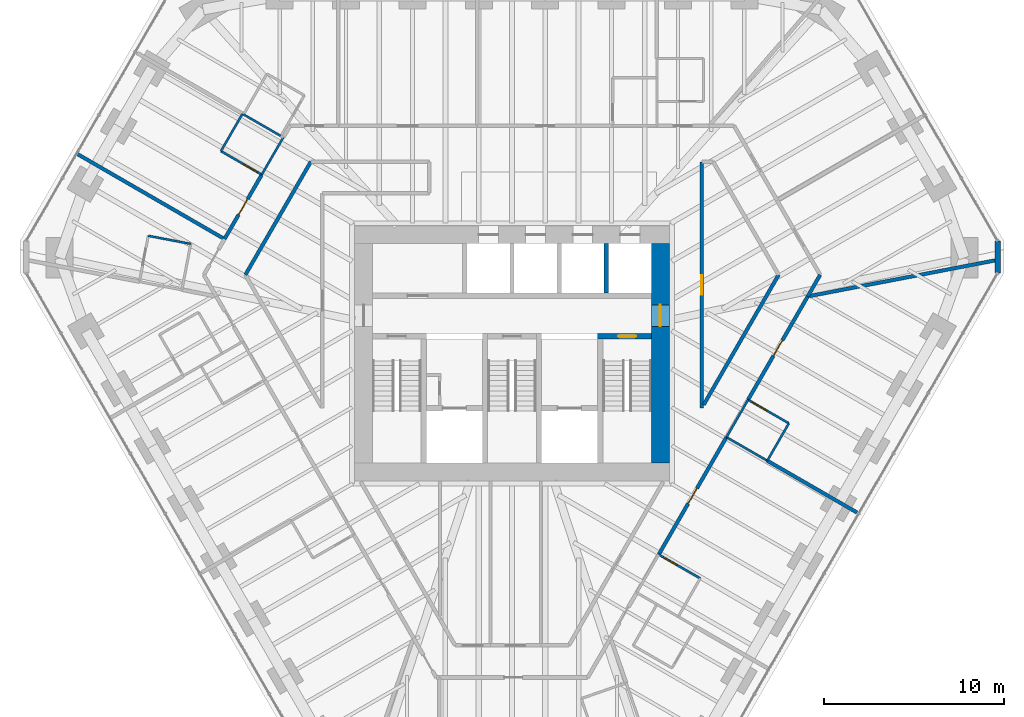
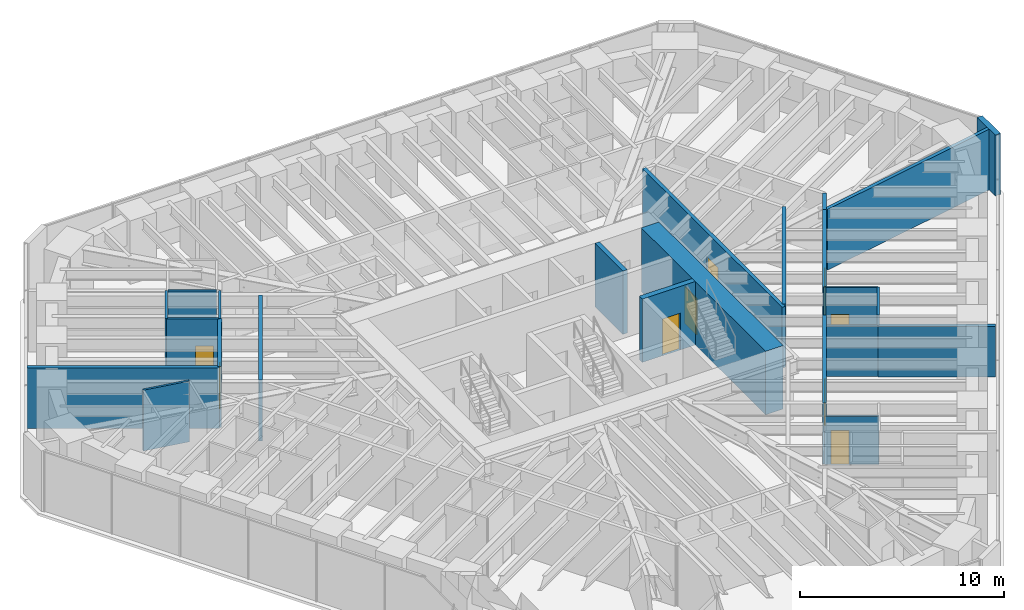
# One storey, part 13 of 16: 24 walls, 9 doors, 9 openings.
"""IFC4 building model written with IfcOpenShell, lengths in metres."""

from ifc_helpers import new_model, si_unit, direction, frame, frame_2d, origin, place, context, subcontext, project, spatial, rectangle, extrude, material, layer, layer_set, type_object, element, fill, save


model = new_model("IFC4")

# Units and contexts
model_context = context("Model", 3, precision=1e-05, world=origin(), true_north=direction((0.0, 1.0)))
body_context = subcontext(model_context, "Body", "Model", "MODEL_VIEW")
ifc_project = project(units=[si_unit("LENGTHUNIT", "METRE"), si_unit("AREAUNIT", "SQUARE_METRE"), si_unit("VOLUMEUNIT", "CUBIC_METRE"), si_unit("PLANEANGLEUNIT", "RADIAN"), si_unit("MASSUNIT", "GRAM", prefix="KILO")], contexts=[model_context])

# Site, building, storey
site_placement = place(None, origin())
site = spatial("IfcSite", under=ifc_project, at=site_placement, CompositionType="ELEMENT")
building_placement = place(site_placement, origin())
building = spatial("IfcBuilding", under=site, at=building_placement, Name="Sandreach Pilgrim Tower", CompositionType="ELEMENT")
storey_placement = place(building_placement, frame((0.0, 0.0, 225.0)))
storey = spatial("IfcBuildingStorey", under=building, at=storey_placement, Name="L56", CompositionType="ELEMENT", Elevation=225.0)

# Wall
ifc_material_1 = material(Name="Moisture-resistant gypsum board on steel studs", Category="steel")
ifc_layer_1 = layer(ifc_material_1, 0.1201171875)
ifc_layer_set_1 = layer_set([ifc_layer_1], Name="Bathroom partition 120")
wall_type_1 = type_object("IfcWallType", Name="Bathroom partition 120", PredefinedType="PARTITIONING", material=ifc_layer_set_1)
wall_1_placement = place(storey_placement, frame((-17.8701171875, 6.090087890625, 0.0), z_axis=(0.0, 0.0, 1.0), x_axis=(-0.982303859288, 0.187294228499, 0.0)))
element("IfcWall", 1, at=wall_1_placement, inside=storey, type_object=wall_type_1, Name="Bathroom partition L56-011", PredefinedType="PARTITIONING", context=body_context, shape_type="SweptSolid", body=[
    extrude(rectangle(XDim=2.40234375, YDim=0.1201171875, at=frame_2d((1.201171875, 0.0))), origin(), (0.0, 0.0, 1.0), 3.639892578125),
])

# Wall, opening, door
wall_2_placement = place(storey_placement, frame((-16.18994140625, 11.25, 0.0), z_axis=(0.0, 0.0, 1.0), x_axis=(0.866114241029, -0.499846097802, 0.0)))
wall_2 = element("IfcWall", 2, at=wall_2_placement, inside=storey, type_object=wall_type_1, Name="Bathroom partition L56-019", PredefinedType="PARTITIONING", context=body_context, shape_type="SweptSolid", body=[
    extrude(rectangle(XDim=2.620849609375, YDim=0.1201171875, at=frame_2d((1.310546875, 0.0))), origin(), (0.0, 0.0, 1.0), 3.639892578125),
])
opening_1_placement = place(wall_2_placement, frame((1.4208984375, 0.0, 0.0)))
opening_1 = element("IfcOpeningElement", 3, at=opening_1_placement, cuts=wall_2, Name="Opening D09-15B", PredefinedType="OPENING", context=body_context, shape_type="SweptSolid", body=[
    extrude(rectangle(XDim=0.89990234375, YDim=2.030029296875, at=frame_2d((0.449951171875, 1.01513671875))), frame((0.0, 0.06005859375, 0.0), z_axis=(0.0, -1.0, 0.0), x_axis=(1.0, 0.0, 0.0)), (0.0, 0.0, 1.0), 0.1201171875),
])
ifc_material_2 = material(Name="Timber door, steel frame", Category="steel")
door_type_1 = type_object("IfcDoorType", Name="Bathroom door", OperationType="SINGLE_SWING_LEFT", PredefinedType="DOOR", material=ifc_material_2)
door_1_placement = place(opening_1_placement, origin())
door_1 = element("IfcDoor", 4, at=door_1_placement, inside=storey, type_object=door_type_1, Name="Door 5615B", OperationType="SINGLE_SWING_RIGHT", OverallHeight=2.030029296875, OverallWidth=0.89990234375, PredefinedType="DOOR", context=body_context, shape_type="SweptSolid", body=[
    extrude(rectangle(XDim=0.89990234375, YDim=2.030029296875, at=frame_2d((0.449951171875, 1.01513671875))), frame((0.0, 0.02490234375, 0.0), z_axis=(0.0, -1.0, 0.0), x_axis=(1.0, 0.0, 0.0)), (0.0, 0.0, 1.0), 0.050048828125),
])
fill(opening_1, door_1)

# Walls
wall_3_placement = place(storey_placement, frame((-14.989990234375, 13.330078125, 0.0), z_axis=(0.0, 0.0, 1.0), x_axis=(-0.499693115345, -0.866202511239, 0.0)))
element("IfcWall", 5, at=wall_3_placement, inside=storey, type_object=wall_type_1, Name="Bathroom partition L56-025", PredefinedType="PARTITIONING", context=body_context, shape_type="SweptSolid", body=[
    extrude(rectangle(XDim=2.4013671875, YDim=0.1201171875, at=frame_2d((1.20068359375, 0.0))), origin(), (0.0, 0.0, 1.0), 3.639892578125),
])
wall_4_placement = place(storey_placement, frame((-14.929931640625, 13.2900390625, 0.0), z_axis=(0.0, 0.0, 1.0), x_axis=(0.866177122335, -0.499737123639, 0.0)))
element("IfcWall", 6, at=wall_4_placement, inside=storey, type_object=wall_type_1, Name="Bathroom partition L56-026", PredefinedType="PARTITIONING", context=body_context, shape_type="SweptSolid", body=[
    extrude(rectangle(XDim=2.401123046875, YDim=0.1201171875, at=frame_2d((1.20068359375, 0.0))), origin(), (0.0, 0.0, 1.0), 3.639892578125),
])
wall_5_placement = place(storey_placement, frame((-13.919921875, 9.93994140625, 0.0), z_axis=(0.0, 0.0, 1.0), x_axis=(0.500402934999, 0.865792644139, 0.0)))
element("IfcWall", 7, at=wall_5_placement, inside=storey, type_object=wall_type_1, Name="Bathroom partition L56-028", PredefinedType="PARTITIONING", context=body_context, shape_type="SweptSolid", body=[
    extrude(rectangle(XDim=2.4013671875, YDim=0.1201171875, at=frame_2d((1.20068359375, 0.0))), origin(), (0.0, 0.0, 1.0), 3.639892578125),
])

# Wall, opening, door
wall_6_placement = place(storey_placement, frame((10.469970703125, -12.510009765625, 0.0), z_axis=(0.0, 0.0, 1.0), x_axis=(-0.86821490448, 0.49618835097, 0.0)))
wall_6 = element("IfcWall", 8, at=wall_6_placement, inside=storey, type_object=wall_type_1, Name="Bathroom partition L56-095", PredefinedType="PARTITIONING", context=body_context, shape_type="SweptSolid", body=[
    extrude(rectangle(XDim=2.660400390625, YDim=0.1201171875, at=frame_2d((1.330078125, 0.0))), origin(), (0.0, 0.0, 1.0), 2.8779296875),
])
opening_2_placement = place(wall_6_placement, frame((1.46044921875, 0.0, 0.0)))
opening_2 = element("IfcOpeningElement", 9, at=opening_2_placement, cuts=wall_6, Name="Opening D09-07B", PredefinedType="OPENING", context=body_context, shape_type="SweptSolid", body=[
    extrude(rectangle(XDim=0.89990234375, YDim=2.030029296875, at=frame_2d((0.449951171875, 1.01513671875))), frame((0.0, 0.06005859375, 0.0), z_axis=(0.0, -1.0, 0.0), x_axis=(1.0, 0.0, 0.0)), (0.0, 0.0, 1.0), 0.1201171875),
])
door_2_placement = place(opening_2_placement, origin())
door_2 = element("IfcDoor", 10, at=door_2_placement, inside=storey, type_object=door_type_1, Name="Door 5607B", OperationType="SINGLE_SWING_RIGHT", OverallHeight=2.030029296875, OverallWidth=0.89990234375, PredefinedType="DOOR", context=body_context, shape_type="SweptSolid", body=[
    extrude(rectangle(XDim=0.89990234375, YDim=2.030029296875, at=frame_2d((0.449951171875, 1.01513671875))), frame((0.0, 0.02490234375, 0.0), z_axis=(0.0, -1.0, 0.0), x_axis=(1.0, 0.0, 0.0)), (0.0, 0.0, 1.0), 0.050048828125),
])
fill(opening_2, door_2)

# Walls
wall_7_placement = place(storey_placement, frame((11.929931640625, -4.659912109375, 0.0), z_axis=(0.0, 0.0, 1.0), x_axis=(0.499737123639, 0.866177122335, 0.0)))
element("IfcWall", 11, at=wall_7_placement, inside=storey, type_object=wall_type_1, Name="Bathroom partition L56-102", PredefinedType="PARTITIONING", context=body_context, shape_type="SweptSolid", body=[
    extrude(rectangle(XDim=2.401123046875, YDim=0.1201171875, at=frame_2d((1.20068359375, 0.0))), origin(), (0.0, 0.0, 1.0), 3.639892578125),
])
wall_8_placement = place(storey_placement, frame((11.929931640625, -4.659912109375, 0.0), z_axis=(0.0, 0.0, 1.0), x_axis=(0.865969958829, -0.500096021185, 0.0)))
element("IfcWall", 12, at=wall_8_placement, inside=storey, type_object=wall_type_1, Name="Bathroom partition L56-103", PredefinedType="PARTITIONING", context=body_context, shape_type="SweptSolid", body=[
    extrude(rectangle(XDim=2.62109375, YDim=0.1201171875, at=frame_2d((1.310546875, 0.0))), origin(), (0.0, 0.0, 1.0), 3.0380859375),
])
wall_9_placement = place(storey_placement, frame((14.199951171875, -5.969970703125, 0.0), z_axis=(0.0, 0.0, 1.0), x_axis=(0.499737123639, 0.866177122335, 0.0)))
element("IfcWall", 13, at=wall_9_placement, inside=storey, type_object=wall_type_1, Name="Bathroom partition L56-108", PredefinedType="PARTITIONING", context=body_context, shape_type="SweptSolid", body=[
    extrude(rectangle(XDim=2.401123046875, YDim=0.1201171875, at=frame_2d((1.20068359375, 0.0))), origin(), (0.0, 0.0, 1.0), 3.639892578125),
])

# Wall, opening, door
wall_10_placement = place(storey_placement, frame((15.39990234375, -3.889892578125, 0.0), z_axis=(0.0, 0.0, 1.0), x_axis=(-0.866154567199, 0.49977621564, 0.0)))
wall_10 = element("IfcWall", 14, at=wall_10_placement, inside=storey, type_object=wall_type_1, Name="Bathroom partition L56-110", PredefinedType="PARTITIONING", context=body_context, shape_type="SweptSolid", body=[
    extrude(rectangle(XDim=2.620849609375, YDim=0.1201171875, at=frame_2d((1.310546875, 0.0))), origin(), (0.0, 0.0, 1.0), 3.639892578125),
])
opening_3_placement = place(wall_10_placement, frame((1.4208984375, 0.0, 0.0)))
opening_3 = element("IfcOpeningElement", 15, at=opening_3_placement, cuts=wall_10, Name="Opening D09-06B", PredefinedType="OPENING", context=body_context, shape_type="SweptSolid", body=[
    extrude(rectangle(XDim=0.89990234375, YDim=2.030029296875, at=frame_2d((0.449951171875, 1.01513671875))), frame((0.0, 0.06005859375, 0.0), z_axis=(0.0, -1.0, 0.0), x_axis=(1.0, 0.0, 0.0)), (0.0, 0.0, 1.0), 0.1201171875),
])
door_3_placement = place(opening_3_placement, origin())
door_3 = element("IfcDoor", 16, at=door_3_placement, inside=storey, type_object=door_type_1, Name="Door 5606B", OperationType="SINGLE_SWING_RIGHT", OverallHeight=2.030029296875, OverallWidth=0.89990234375, PredefinedType="DOOR", context=body_context, shape_type="SweptSolid", body=[
    extrude(rectangle(XDim=0.89990234375, YDim=2.030029296875, at=frame_2d((0.449951171875, 1.01513671875))), frame((0.0, 0.02490234375, 0.0), z_axis=(0.0, -1.0, 0.0), x_axis=(1.0, 0.0, 0.0)), (0.0, 0.0, 1.0), 0.050048828125),
])
fill(opening_3, door_3)

ifc_material_3 = material(Name="Concrete 10000 psi", Category="concrete")
ifc_layer_2 = layer(ifc_material_3, 0.300048828125)
ifc_layer_set_2 = layer_set([ifc_layer_2], Name="Core inner wall 300")
wall_type_2 = type_object("IfcWallType", Name="Core inner wall 300", PredefinedType="SHEAR", material=ifc_layer_set_2)
wall_11_placement = place(storey_placement, frame((4.75, 0.949951171875, 0.0), z_axis=(0.0, 0.0, 1.0), x_axis=(1.0, 0.0, 0.0)))
wall_11 = element("IfcWall", 17, at=wall_11_placement, inside=storey, type_object=wall_type_2, Name="Core wall SN2 L56", PredefinedType="SHEAR", context=body_context, shape_type="SweptSolid", body=[
    extrude(rectangle(XDim=3.0, YDim=0.300048828125, at=frame_2d((1.5, 0.0))), origin(), (0.0, 0.0, 1.0), 3.800048828125),
])
opening_4_placement = place(wall_11_placement, frame((1.14990234375, 0.0, 0.0)))
opening_4 = element("IfcOpeningElement", 18, at=opening_4_placement, cuts=wall_11, Name="Opening D10S-ST2", PredefinedType="OPENING", context=body_context, shape_type="SweptSolid", body=[
    extrude(rectangle(XDim=1.0, YDim=2.199951171875, at=frame_2d((0.5, 1.10009765625))), frame((0.0, 0.14990234375, 0.0), z_axis=(0.0, -1.0, 0.0), x_axis=(1.0, 0.0, 0.0)), (0.0, 0.0, 1.0), 0.300048828125),
])
ifc_material_4 = material(Name="Steel door and frame", Category="steel")
door_type_2 = type_object("IfcDoorType", Name="Stair door", OperationType="SINGLE_SWING_LEFT", PredefinedType="DOOR", material=ifc_material_4)
door_4_placement = place(opening_4_placement, origin())
door_4 = element("IfcDoor", 19, at=door_4_placement, inside=storey, type_object=door_type_2, Name="Stair door ST2 L56", OperationType="SINGLE_SWING_RIGHT", OverallHeight=2.199951171875, OverallWidth=1.0, PredefinedType="DOOR", context=body_context, shape_type="SweptSolid", body=[
    extrude(rectangle(XDim=1.0, YDim=2.199951171875, at=frame_2d((0.5, 1.10009765625))), frame((0.0, 0.02490234375, 0.0), z_axis=(0.0, -1.0, 0.0), x_axis=(1.0, 0.0, 0.0)), (0.0, 0.0, 1.0), 0.050048828125),
])
fill(opening_4, door_4)

ifc_material_5 = material(Name="Concrete 10000 psi", Category="concrete")
ifc_layer_3 = layer(ifc_material_5, 1.0)
ifc_layer_set_3 = layer_set([ifc_layer_3], Name="Core wall 1000")
wall_type_3 = type_object("IfcWallType", Name="Core wall 1000", PredefinedType="SHEAR", material=ifc_layer_set_3)
wall_12_placement = place(storey_placement, frame((8.25, -6.10009765625, 0.0), z_axis=(0.0, 0.0, 1.0), x_axis=(0.0, 1.0, 0.0)))
wall_12 = element("IfcWall", 20, at=wall_12_placement, inside=storey, type_object=wall_type_3, Name="Core wall E L56", PredefinedType="SHEAR", context=body_context, shape_type="SweptSolid", body=[
    extrude(rectangle(XDim=12.2001953125, YDim=1.0, at=frame_2d((6.10009765625, 0.0))), origin(), (0.0, 0.0, 1.0), 3.800048828125),
])
opening_5_placement = place(wall_12_placement, frame((7.60009765625, 0.0, 0.0)))
opening_5 = element("IfcOpeningElement", 21, at=opening_5_placement, cuts=wall_12, Name="Opening D12F-E", PredefinedType="OPENING", context=body_context, shape_type="SweptSolid", body=[
    extrude(rectangle(XDim=1.199951171875, YDim=2.199951171875, at=frame_2d((0.60009765625, 1.10009765625))), frame((0.0, 0.5, 0.0), z_axis=(0.0, -1.0, 0.0), x_axis=(1.0, 0.0, 0.0)), (0.0, 0.0, 1.0), 1.0),
])
ifc_material_6 = material(Name="Steel door and frame", Category="steel")
door_type_3 = type_object("IfcDoorType", Name="Fire lobby door", OperationType="SINGLE_SWING_LEFT", PredefinedType="DOOR", material=ifc_material_6)
door_5_placement = place(opening_5_placement, origin())
door_5 = element("IfcDoor", 22, at=door_5_placement, inside=storey, type_object=door_type_3, Name="Fire service lobby door E L56", OperationType="SINGLE_SWING_RIGHT", OverallHeight=2.199951171875, OverallWidth=1.199951171875, PredefinedType="DOOR", context=body_context, shape_type="SweptSolid", body=[
    extrude(rectangle(XDim=1.199951171875, YDim=2.199951171875, at=frame_2d((0.60009765625, 1.10009765625))), frame((0.0, 0.02490234375, 0.0), z_axis=(0.0, -1.0, 0.0), x_axis=(1.0, 0.0, 0.0)), (0.0, 0.0, 1.0), 0.050048828125),
])
fill(opening_5, door_5)

ifc_material_7 = material(Name="Gypsum board on steel studs, two layers each side", Category="steel")
ifc_layer_4 = layer(ifc_material_7, 0.199951171875)
ifc_layer_set_4 = layer_set([ifc_layer_4], Name="Corridor wall 200")
wall_type_4 = type_object("IfcWallType", Name="Corridor wall 200", PredefinedType="PARTITIONING", material=ifc_layer_set_4)
wall_13_placement = place(storey_placement, frame((-15.989990234375, 6.360107421875, 0.0), z_axis=(0.0, 0.0, 1.0), x_axis=(0.500589371231, 0.865684862644, 0.0)))
wall_13 = element("IfcWall", 23, at=wall_13_placement, inside=storey, type_object=wall_type_4, Name="Corridor wall L56-023", PredefinedType="PARTITIONING", context=body_context, shape_type="SweptSolid", body=[
    extrude(rectangle(XDim=4.13525390625, YDim=0.199951171875, at=frame_2d((2.067626953125, 0.0))), origin(), (0.0, 0.0, 1.0), 3.639892578125),
])
opening_6_placement = place(wall_13_placement, frame((1.567626953125, 0.0, 0.0)))
opening_6 = element("IfcOpeningElement", 24, at=opening_6_placement, cuts=wall_13, Name="Opening D10-15", PredefinedType="OPENING", context=body_context, shape_type="SweptSolid", body=[
    extrude(rectangle(XDim=1.0, YDim=2.1298828125, at=frame_2d((0.5, 1.06494140625))), frame((0.0, 0.10009765625, 0.0), z_axis=(0.0, -1.0, 0.0), x_axis=(1.0, 0.0, 0.0)), (0.0, 0.0, 1.0), 0.199951171875),
])
ifc_material_8 = material(Name="Steel door and frame", Category="steel")
door_type_4 = type_object("IfcDoorType", Name="Guest room entry door", OperationType="SINGLE_SWING_LEFT", PredefinedType="DOOR", material=ifc_material_8)
door_6_placement = place(opening_6_placement, origin())
door_6 = element("IfcDoor", 25, at=door_6_placement, inside=storey, type_object=door_type_4, Name="Door 5615", OperationType="SINGLE_SWING_LEFT", OverallHeight=2.1298828125, OverallWidth=1.0, PredefinedType="DOOR", context=body_context, shape_type="SweptSolid", body=[
    extrude(rectangle(XDim=1.0, YDim=2.1298828125, at=frame_2d((0.5, 1.06494140625))), frame((0.0, 0.02490234375, 0.0), z_axis=(0.0, -1.0, 0.0), x_axis=(1.0, 0.0, 0.0)), (0.0, 0.0, 1.0), 0.050048828125),
])
fill(opening_6, door_6)

# Wall
wall_14_placement = place(storey_placement, frame((-14.830078125, 4.3701171875, 0.0), z_axis=(0.0, 0.0, 1.0), x_axis=(0.500899863475, 0.865505243642, 0.0)))
element("IfcWall", 26, at=wall_14_placement, inside=storey, type_object=wall_type_4, Name="Corridor wall L56-027", PredefinedType="PARTITIONING", context=body_context, shape_type="SweptSolid", body=[
    extrude(rectangle(XDim=7.26708984375, YDim=0.199951171875, at=frame_2d((3.633544921875, 0.0))), origin(), (0.0, 0.0, 1.0), 3.639892578125),
])

# Wall, opening, door
wall_15_placement = place(storey_placement, frame((8.159912109375, -11.18994140625, 0.0), z_axis=(0.0, 0.0, 1.0), x_axis=(0.500004606796, 0.866022744033, 0.0)))
wall_15 = element("IfcWall", 27, at=wall_15_placement, inside=storey, type_object=wall_type_4, Name="Corridor wall L56-089", PredefinedType="PARTITIONING", context=body_context, shape_type="SweptSolid", body=[
    extrude(rectangle(XDim=7.5400390625, YDim=0.199951171875, at=frame_2d((3.77001953125, 0.0))), origin(), (0.0, 0.0, 1.0), 3.639892578125),
])
opening_7_placement = place(wall_15_placement, frame((3.27001953125, 0.0, 0.0)))
opening_7 = element("IfcOpeningElement", 28, at=opening_7_placement, cuts=wall_15, Name="Opening D10-07", PredefinedType="OPENING", context=body_context, shape_type="SweptSolid", body=[
    extrude(rectangle(XDim=1.0, YDim=2.1298828125, at=frame_2d((0.5, 1.06494140625))), frame((0.0, 0.10009765625, 0.0), z_axis=(0.0, -1.0, 0.0), x_axis=(1.0, 0.0, 0.0)), (0.0, 0.0, 1.0), 0.199951171875),
])
door_7_placement = place(opening_7_placement, origin())
door_7 = element("IfcDoor", 29, at=door_7_placement, inside=storey, type_object=door_type_4, Name="Door 5607", OperationType="SINGLE_SWING_LEFT", OverallHeight=2.1298828125, OverallWidth=1.0, PredefinedType="DOOR", context=body_context, shape_type="SweptSolid", body=[
    extrude(rectangle(XDim=1.0, YDim=2.1298828125, at=frame_2d((0.5, 1.06494140625))), frame((0.0, 0.02490234375, 0.0), z_axis=(0.0, -1.0, 0.0), x_axis=(1.0, 0.0, 0.0)), (0.0, 0.0, 1.0), 0.050048828125),
])
fill(opening_7, door_7)

wall_16_placement = place(storey_placement, frame((10.550048828125, -3.050048828125, 0.0), z_axis=(0.0, 0.0, 1.0), x_axis=(0.0, 1.0, 0.0)))
wall_16 = element("IfcWall", 30, at=wall_16_placement, inside=storey, type_object=wall_type_4, Name="Corridor wall L56-096", PredefinedType="PARTITIONING", context=body_context, shape_type="SweptSolid", body=[
    extrude(rectangle(XDim=13.7099609375, YDim=0.199951171875, at=frame_2d((6.85498046875, 0.0))), origin(), (0.0, 0.0, 1.0), 3.639892578125),
])
opening_8_placement = place(wall_16_placement, frame((6.304931640625, 0.0, 0.0)))
opening_8 = element("IfcOpeningElement", 31, at=opening_8_placement, cuts=wall_16, Name="Opening D11H-M2", PredefinedType="OPENING", context=body_context, shape_type="SweptSolid", body=[
    extrude(rectangle(XDim=1.10009765625, YDim=2.199951171875, at=frame_2d((0.550048828125, 1.10009765625))), frame((0.0, 0.10009765625, 0.0), z_axis=(0.0, -1.0, 0.0), x_axis=(1.0, 0.0, 0.0)), (0.0, 0.0, 1.0), 0.199951171875),
])
ifc_material_9 = material(Name="Steel door and frame", Category="steel")
door_type_5 = type_object("IfcDoorType", Name="Back of house door", OperationType="SINGLE_SWING_LEFT", PredefinedType="DOOR", material=ifc_material_9)
door_8_placement = place(opening_8_placement, origin())
door_8 = element("IfcDoor", 32, at=door_8_placement, inside=storey, type_object=door_type_5, Name="Door 56M2", OperationType="SINGLE_SWING_LEFT", OverallHeight=2.199951171875, OverallWidth=1.10009765625, PredefinedType="DOOR", context=body_context, shape_type="SweptSolid", body=[
    extrude(rectangle(XDim=1.10009765625, YDim=2.199951171875, at=frame_2d((0.550048828125, 1.10009765625))), frame((0.0, 0.02490234375, 0.0), z_axis=(0.0, -1.0, 0.0), x_axis=(1.0, 0.0, 0.0)), (0.0, 0.0, 1.0), 0.050048828125),
])
fill(opening_8, door_8)

wall_17_placement = place(storey_placement, frame((13.1298828125, -2.580078125, 0.0), z_axis=(0.0, 0.0, 1.0), x_axis=(0.500034373799, 0.866005557153, 0.0)))
wall_17 = element("IfcWall", 33, at=wall_17_placement, inside=storey, type_object=wall_type_4, Name="Corridor wall L56-106", PredefinedType="PARTITIONING", context=body_context, shape_type="SweptSolid", body=[
    extrude(rectangle(XDim=6.6396484375, YDim=0.199951171875, at=frame_2d((3.31982421875, 0.0))), origin(), (0.0, 0.0, 1.0), 3.639892578125),
])
opening_9_placement = place(wall_17_placement, frame((2.81982421875, 0.0, 0.0)))
opening_9 = element("IfcOpeningElement", 34, at=opening_9_placement, cuts=wall_17, Name="Opening D10-06", PredefinedType="OPENING", context=body_context, shape_type="SweptSolid", body=[
    extrude(rectangle(XDim=1.0, YDim=2.1298828125, at=frame_2d((0.5, 1.06494140625))), frame((0.0, 0.10009765625, 0.0), z_axis=(0.0, -1.0, 0.0), x_axis=(1.0, 0.0, 0.0)), (0.0, 0.0, 1.0), 0.199951171875),
])
door_9_placement = place(opening_9_placement, origin())
door_9 = element("IfcDoor", 35, at=door_9_placement, inside=storey, type_object=door_type_4, Name="Door 5606", OperationType="SINGLE_SWING_LEFT", OverallHeight=2.1298828125, OverallWidth=1.0, PredefinedType="DOOR", context=body_context, shape_type="SweptSolid", body=[
    extrude(rectangle(XDim=1.0, YDim=2.1298828125, at=frame_2d((0.5, 1.06494140625))), frame((0.0, 0.02490234375, 0.0), z_axis=(0.0, -1.0, 0.0), x_axis=(1.0, 0.0, 0.0)), (0.0, 0.0, 1.0), 0.050048828125),
])
fill(opening_9, door_9)

# Walls
wall_18_placement = place(storey_placement, frame((14.830078125, 4.3701171875, 0.0), z_axis=(0.0, 0.0, 1.0), x_axis=(-0.499659986498, -0.866221621695, 0.0)))
element("IfcWall", 36, at=wall_18_placement, inside=storey, type_object=wall_type_4, Name="Corridor wall L56-109", PredefinedType="PARTITIONING", context=body_context, shape_type="SweptSolid", body=[
    extrude(rectangle(XDim=8.345947265625, YDim=0.199951171875, at=frame_2d((4.1728515625, 0.0))), origin(), (0.0, 0.0, 1.0), 3.639892578125),
])
wall_19_placement = place(storey_placement, frame((16.449951171875, 3.169921875, 0.0), z_axis=(0.0, 0.0, 1.0), x_axis=(0.49845455473, 0.866915830325, 0.0)))
element("IfcWall", 37, at=wall_19_placement, inside=storey, type_object=wall_type_4, Name="Corridor wall L56-111", PredefinedType="PARTITIONING", context=body_context, shape_type="SweptSolid", body=[
    extrude(rectangle(XDim=1.38427734375, YDim=0.199951171875, at=frame_2d((0.692138671875, 0.0))), origin(), (0.0, 0.0, 1.0), 3.639892578125),
])
ifc_material_10 = material(Name="Double steel stud acoustic wall, gypsum board", Category="steel")
ifc_layer_5 = layer(ifc_material_10, 0.199951171875)
ifc_layer_set_5 = layer_set([ifc_layer_5], Name="Party wall 200")
wall_type_5 = type_object("IfcWallType", Name="Party wall 200", PredefinedType="PARTITIONING", material=ifc_layer_set_5)
wall_20_placement = place(storey_placement, frame((-24.18408203125, 11.094970703125, 0.0), z_axis=(0.0, 0.0, 1.0), x_axis=(0.865833251631, -0.500332669702, 0.0)))
element("IfcWall", 38, at=wall_20_placement, inside=storey, type_object=wall_type_5, Name="Party wall L56-002", PredefinedType="PARTITIONING", context=body_context, shape_type="SweptSolid", body=[
    extrude(rectangle(XDim=9.45361328125, YDim=0.199951171875, at=frame_2d((4.726806640625, 0.0))), origin(), (0.0, 0.0, 1.0), 3.639892578125),
])
wall_21_placement = place(storey_placement, frame((14.19970703125, -5.970703125, 0.0), z_axis=(0.0, 0.0, 1.0), x_axis=(0.86600340545, -0.500038100297, 0.0)))
element("IfcWall", 39, at=wall_21_placement, inside=storey, type_object=wall_type_5, Name="Party wall L56-107", PredefinedType="PARTITIONING", context=body_context, shape_type="SweptSolid", body=[
    extrude(rectangle(XDim=5.7578125, YDim=0.199951171875, at=frame_2d((2.87890625, 0.0))), origin(), (0.0, 0.0, 1.0), 3.0380859375),
])
wall_22_placement = place(storey_placement, frame((27.04052734375, 5.204345703125, 0.0), z_axis=(0.0, 0.0, 1.0), x_axis=(-0.982047984466, -0.188631270488, 0.0)))
element("IfcWall", 40, at=wall_22_placement, inside=storey, type_object=wall_type_5, Name="Party wall L56-115", PredefinedType="PARTITIONING", context=body_context, shape_type="SweptSolid", body=[
    extrude(rectangle(XDim=10.684326171875, YDim=0.199951171875, at=frame_2d((5.34228515625, 0.0))), origin(), (0.0, 0.0, 1.0), 3.639892578125),
])
ifc_material_11 = material(Name="Gypsum shaft wall on steel studs, two layers of shaft liner board", Category="steel")
ifc_layer_6 = layer(ifc_material_11, 0.25)
ifc_layer_set_6 = layer_set([ifc_layer_6], Name="Shaft partition 250")
wall_type_6 = type_object("IfcWallType", Name="Shaft partition 250", PredefinedType="PARTITIONING", material=ifc_layer_set_6)
wall_23_placement = place(storey_placement, frame((5.25, 3.35009765625, 0.0), z_axis=(0.0, 0.0, 1.0), x_axis=(0.0, 1.0, 0.0)))
element("IfcWall", 41, at=wall_23_placement, inside=storey, type_object=wall_type_6, Name="Shaft partition NS4 L56", PredefinedType="PARTITIONING", context=body_context, shape_type="SweptSolid", body=[
    extrude(rectangle(XDim=2.75, YDim=0.25, at=frame_2d((1.375, 0.0))), origin(), (0.0, 0.0, 1.0), 3.800048828125),
])
ifc_material_12 = material(Name="Terracotta rainscreen on concrete", Category="masonry")
ifc_layer_7 = layer(ifc_material_12, 0.300048828125)
ifc_layer_set_7 = layer_set([ifc_layer_7], Name="Terracotta chamfer pier")
wall_type_7 = type_object("IfcWallType", Name="Terracotta chamfer pier", PredefinedType="SOLIDWALL", material=ifc_layer_set_7)
wall_24_placement = place(storey_placement, frame((27.02001953125, 6.25, 0.0), z_axis=(0.0, 0.0, 1.0), x_axis=(0.0, -1.0, 0.0)))
element("IfcWall", 42, at=wall_24_placement, inside=storey, type_object=wall_type_7, Name="Chamfer pier L56 NE", PredefinedType="SOLIDWALL", context=body_context, shape_type="SweptSolid", body=[
    extrude(rectangle(XDim=1.77001953125, YDim=0.300048828125, at=frame_2d((0.885009765625, 0.0))), origin(), (0.0, 0.0, 1.0), 3.639892578125),
])

save(model, "model.ifc")
